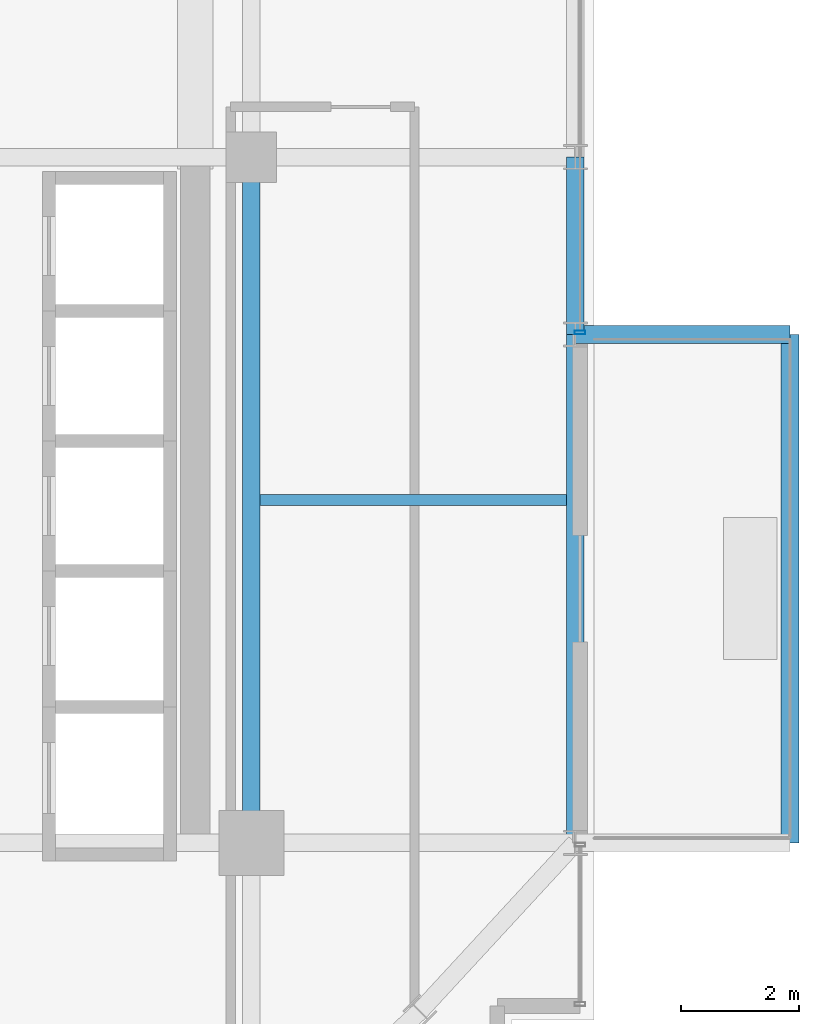
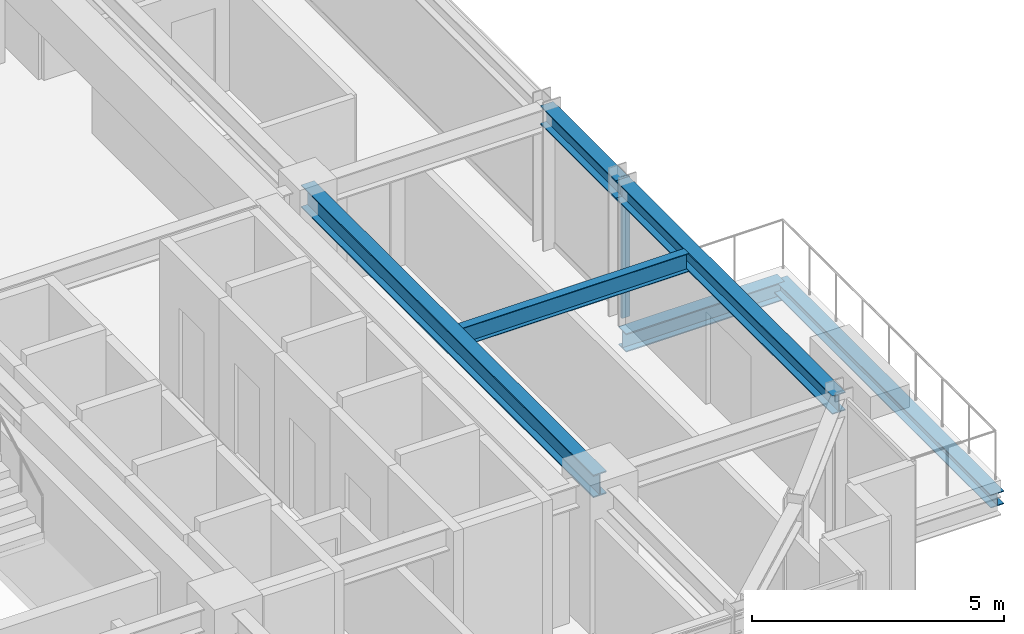
# One storey, part 11 of 29: 6 beams, 1 member, 1 element without a shape of its own.
"""IFC4 building model written with IfcOpenShell, lengths in metres."""

from ifc_helpers import new_model, si_unit, direction, frame, origin, origin_2d, place, context, subcontext, project, spatial, hollow_rectangle, i_section, extrude, source, transform, mapped, material, material_profile, profile_set, type_object, element, aggregate, save


model = new_model("IFC4")

# Units and contexts
model_context = context("Model", 3, precision=1e-05, world=origin(), true_north=direction((0.0, 1.0)))
body_context = subcontext(model_context, "Body", "Model", "MODEL_VIEW")
ifc_project = project(units=[si_unit("LENGTHUNIT", "METRE"), si_unit("AREAUNIT", "SQUARE_METRE"), si_unit("VOLUMEUNIT", "CUBIC_METRE"), si_unit("PLANEANGLEUNIT", "RADIAN"), si_unit("MASSUNIT", "GRAM", prefix="KILO")], contexts=[model_context])

# Site, building, storey
site_placement = place(None, origin())
site = spatial("IfcSite", under=ifc_project, at=site_placement, CompositionType="ELEMENT")
building_placement = place(site_placement, origin())
building = spatial("IfcBuilding", under=site, at=building_placement, Name="Nahalor Promenade Grand Hotel", CompositionType="ELEMENT")
storey_placement = place(building_placement, frame((0.0, 0.0, 189.14990234375)))
storey = spatial("IfcBuildingStorey", under=building, at=storey_placement, Name="L48", CompositionType="ELEMENT", Elevation=189.14990234375)

# Beams
ifc_material_1 = material(Name="Steel S355JR", Category="steel")
ifc_material_profile_1 = material_profile(ifc_material_1, i_section(OverallWidth=0.3, OverallDepth=0.32, WebThickness=0.0115, FlangeThickness=0.0205, at=origin_2d()), Name="HEB 320")
ifc_profile_set_1 = profile_set([ifc_material_profile_1], Name="Steel S355JR")
beam_type_1 = type_object("IfcBeamType", Name="Beam-BalcEdge-HEB320", PredefinedType="SPANDREL", material=ifc_profile_set_1)
shared_shape_1 = source(origin(), body_context, "Body", "SweptSolid", [
    extrude(i_section(OverallWidth=0.3, OverallDepth=0.32, WebThickness=0.0115, FlangeThickness=0.0205, at=origin_2d()), origin(), (0.0, 0.0, 1.0), 8.60009765625),
])
beam_1_placement = place(storey_placement, frame((26.110107421875, -17.0, -0.43994140625), z_axis=(0.0, 1.0, 0.0), x_axis=(-1.0, 0.0, 0.0)))
element("IfcBeam", 1, at=beam_1_placement, inside=storey, type_object=beam_type_1, Name="BM-L48-BC-02-F", PredefinedType="SPANDREL", context=body_context, shape_type="MappedRepresentation", body=[
    mapped(shared_shape_1, transform((0.0, 0.0, 0.0), scale=1.0)),
])
ifc_material_profile_2 = material_profile(ifc_material_1, i_section(OverallWidth=0.3, OverallDepth=0.45, WebThickness=0.014, FlangeThickness=0.026, at=origin_2d()), Name="HEB 450")
ifc_profile_set_2 = profile_set([ifc_material_profile_2], Name="Steel S355JR")
beam_type_2 = type_object("IfcBeamType", Name="Beam-Outrigger-HEB450", PredefinedType="BEAM", material=ifc_profile_set_2)
shared_shape_2 = source(origin(), body_context, "Body", "SweptSolid", [
    extrude(i_section(OverallWidth=0.3, OverallDepth=0.45, WebThickness=0.014, FlangeThickness=0.026, at=origin_2d()), origin(), (0.0, 0.0, 1.0), 3.630126953125),
])
beam_2_placement = place(storey_placement, frame((22.47998046875, -8.39990234375, -0.5048828125), z_axis=(1.0, 0.0, 0.0), x_axis=(0.0, 1.0, 0.0)))
element("IfcBeam", 2, at=beam_2_placement, inside=storey, type_object=beam_type_2, Name="BM-L48-BC-02-2", PredefinedType="BEAM", context=body_context, shape_type="MappedRepresentation", body=[
    mapped(shared_shape_2, transform((0.0, 0.0, 0.0), scale=1.0)),
])
ifc_material_profile_3 = material_profile(ifc_material_1, i_section(OverallWidth=0.3, OverallDepth=0.55, WebThickness=0.015, FlangeThickness=0.029, at=origin_2d()), Name="HEB 550")
ifc_profile_set_3 = profile_set([ifc_material_profile_3], Name="Steel S355JR")
beam_type_3 = type_object("IfcBeamType", Name="Beam-Girder-HEB550", PredefinedType="BEAM", material=ifc_profile_set_3)
shared_shape_3 = source(origin(), body_context, "Body", "SweptSolid", [
    extrude(i_section(OverallWidth=0.3, OverallDepth=0.55, WebThickness=0.015, FlangeThickness=0.029, at=origin_2d()), origin(), (0.0, 0.0, 1.0), 11.60009765625),
])
beam_3_placement = place(storey_placement, frame((17.0, -17.0, 3.114990234375), z_axis=(0.0, 1.0, 0.0), x_axis=(-1.0, 0.0, 0.0)))
element("IfcBeam", 3, at=beam_3_placement, inside=storey, type_object=beam_type_3, Name="BM-L48-GY-5-1", PredefinedType="BEAM", context=body_context, shape_type="MappedRepresentation", body=[
    mapped(shared_shape_3, transform((0.0, 0.0, 0.0), scale=1.0)),
])
ifc_material_profile_4 = material_profile(ifc_material_1, i_section(OverallWidth=0.19, OverallDepth=0.45, WebThickness=0.0094, FlangeThickness=0.0146, at=origin_2d()), Name="IPE 450")
ifc_profile_set_4 = profile_set([ifc_material_profile_4], Name="Steel S355JR")
beam_type_4 = type_object("IfcBeamType", Name="Beam-Joist-IPE450", PredefinedType="JOIST", material=ifc_profile_set_4)
shared_shape_4 = source(origin(), body_context, "Body", "SweptSolid", [
    extrude(i_section(OverallWidth=0.19, OverallDepth=0.45, WebThickness=0.0094, FlangeThickness=0.0146, at=origin_2d()), origin(), (0.0, 0.0, 1.0), 5.18017578125),
])
beam_4_placement = place(storey_placement, frame((17.14990234375, -11.199951171875, 3.1650390625), z_axis=(1.0, 0.0, 0.0), x_axis=(0.0, 1.0, 0.0)))
element("IfcBeam", 4, at=beam_4_placement, inside=storey, type_object=beam_type_4, Name="BM-L48-JSE-0-2", PredefinedType="JOIST", context=body_context, shape_type="MappedRepresentation", body=[
    mapped(shared_shape_4, transform((0.0, 0.0, 0.0), scale=1.0)),
])
ifc_material_profile_5 = material_profile(ifc_material_1, i_section(OverallWidth=0.3, OverallDepth=0.45, WebThickness=0.014, FlangeThickness=0.026, at=origin_2d()), Name="HEB 450")
ifc_profile_set_5 = profile_set([ifc_material_profile_5], Name="Steel S355JR")
beam_type_5 = type_object("IfcBeamType", Name="Beam-Spandrel-HEB450", PredefinedType="SPANDREL", material=ifc_profile_set_5)
shared_shape_5 = source(origin(), body_context, "Body", "SweptSolid", [
    extrude(i_section(OverallWidth=0.3, OverallDepth=0.45, WebThickness=0.014, FlangeThickness=0.026, at=origin_2d()), origin(), (0.0, 0.0, 1.0), 8.60009765625),
])
beam_5_placement = place(storey_placement, frame((22.47998046875, -17.0, 3.1650390625), z_axis=(0.0, 1.0, 0.0), x_axis=(-1.0, 0.0, 0.0)))
element("IfcBeam", 5, at=beam_5_placement, inside=storey, type_object=beam_type_5, Name="BM-L48-SP-E-0", PredefinedType="SPANDREL", context=body_context, shape_type="MappedRepresentation", body=[
    mapped(shared_shape_5, transform((0.0, 0.0, 0.0), scale=1.0)),
])
shared_shape_6 = source(origin(), body_context, "Body", "SweptSolid", [
    extrude(i_section(OverallWidth=0.3, OverallDepth=0.45, WebThickness=0.014, FlangeThickness=0.026, at=origin_2d()), origin(), (0.0, 0.0, 1.0), 3.0),
])
beam_6_placement = place(storey_placement, frame((22.47998046875, -8.39990234375, 3.1650390625), z_axis=(0.0, 1.0, 0.0), x_axis=(-1.0, 0.0, 0.0)))
element("IfcBeam", 6, at=beam_6_placement, inside=storey, type_object=beam_type_5, Name="BM-L48-SP-E-1", PredefinedType="SPANDREL", context=body_context, shape_type="MappedRepresentation", body=[
    mapped(shared_shape_6, transform((0.0, 0.0, 0.0), scale=1.0)),
])

# Curtain wall, member
ifc_material_2 = material(Name="Anodised Bronze Aluminium EN AW-6063 T6", Category="aluminium")
curtain_wall_type = type_object("IfcCurtainWallType", Name="CW2 Typical Hotel Flush Bronze Unitised Curtain Wall", PredefinedType="USERDEFINED", material=ifc_material_2)
curtain_wall_placement = place(storey_placement, origin())
curtain_wall = element("IfcCurtainWall", 7, at=curtain_wall_placement, inside=storey, type_object=curtain_wall_type, Name="L48 Curtain Wall CW-L48-E-3", ObjectType="UNITISED_CURTAIN_WALL", PredefinedType="USERDEFINED")
ifc_material_profile_6 = material_profile(ifc_material_2, hollow_rectangle(XDim=0.065, YDim=0.18, WallThickness=0.004, at=origin_2d()), Name="CWM 65x180x4")
ifc_profile_set_6 = profile_set([ifc_material_profile_6], Name="Anodised Bronze Aluminium EN AW-6063 T6")
member_type = type_object("IfcMemberType", Name="CWM2 Typical Bronze Mullion 65x180", PredefinedType="MULLION", material=ifc_profile_set_6)
shared_shape_7 = source(origin(), body_context, "Body", "SweptSolid", [
    extrude(hollow_rectangle(XDim=0.065, YDim=0.18, WallThickness=0.004, at=origin_2d()), origin(), (0.0, 0.0, 1.0), 3.39013671875),
])
member_placement = place(storey_placement, frame((22.56005859375, -8.367431640625, 0.0), z_axis=(0.0, 0.0, 1.0), x_axis=(0.0, 1.0, 0.0)))
member = element("IfcMember", 8, at=member_placement, type_object=member_type, Name="CW-L48-E-3 Mullion 0", PredefinedType="MULLION", context=body_context, shape_type="MappedRepresentation", body=[
    mapped(shared_shape_7, transform((0.0, 0.0, 0.0), scale=1.0)),
])
aggregate(curtain_wall, [member])

save(model, "model.ifc")
